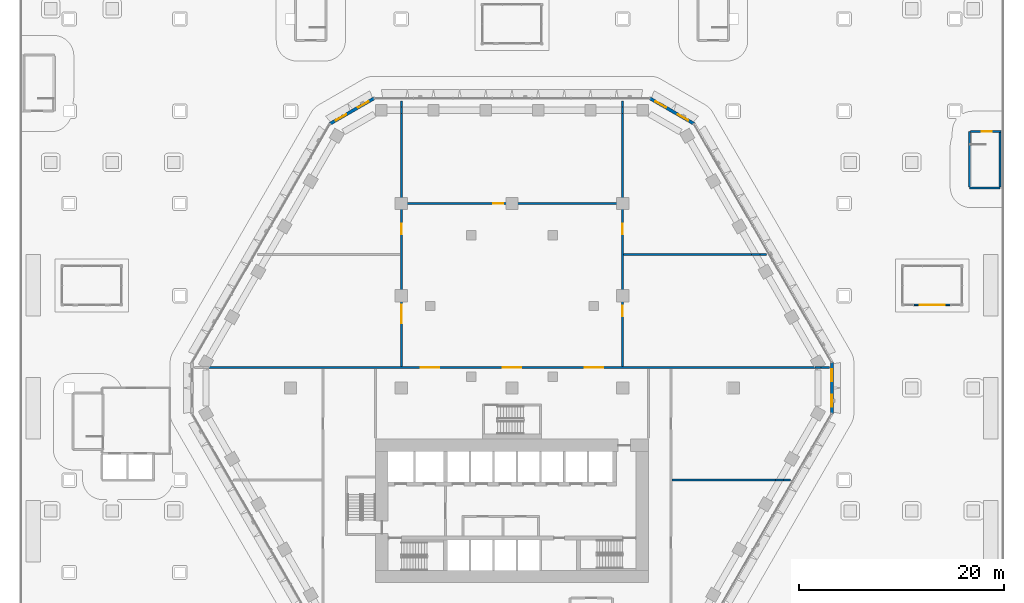
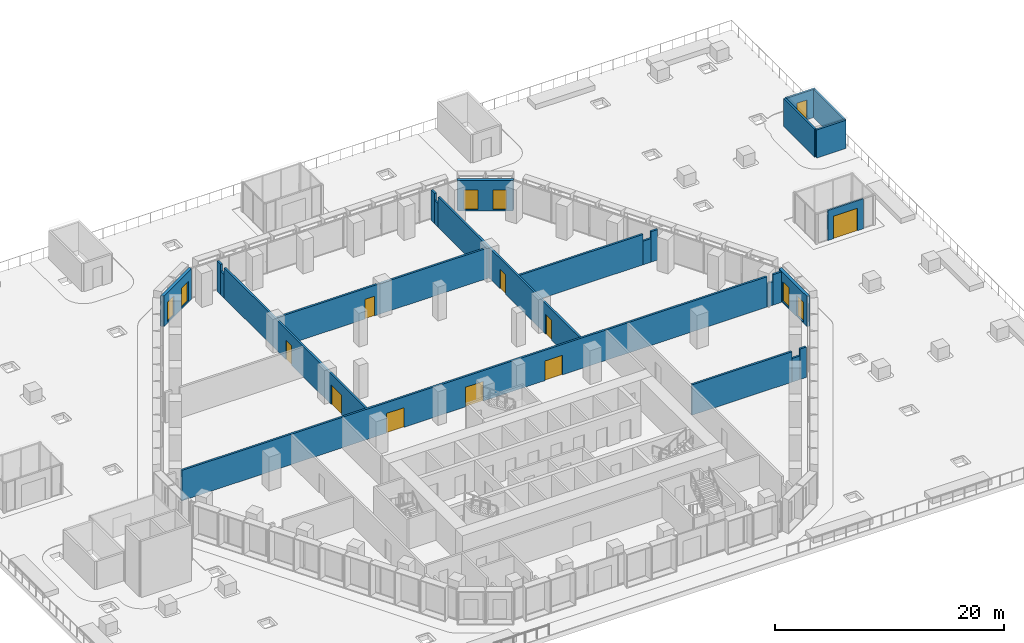
# One storey, part 24 of 38: 24 walls, 10 doors, 6 windows, 16 openings.
"""IFC4 building model written with IfcOpenShell, lengths in metres."""

from ifc_helpers import new_model, si_unit, direction, frame, frame_2d, origin, place, context, subcontext, project, spatial, polyline, rectangle, outline, extrude, material, layer, layer_set, type_object, element, fill, save


model = new_model("IFC4")

# Units and contexts
model_context = context("Model", 3, precision=1e-05, world=origin(), true_north=direction((0.0, 1.0)))
body_context = subcontext(model_context, "Body", "Model", "MODEL_VIEW")
ifc_project = project(units=[si_unit("LENGTHUNIT", "METRE"), si_unit("AREAUNIT", "SQUARE_METRE"), si_unit("VOLUMEUNIT", "CUBIC_METRE"), si_unit("PLANEANGLEUNIT", "RADIAN"), si_unit("MASSUNIT", "GRAM", prefix="KILO")], contexts=[model_context])

# Site, building, storey
site_placement = place(None, origin())
site = spatial("IfcSite", under=ifc_project, at=site_placement, CompositionType="ELEMENT")
building_placement = place(site_placement, origin())
building = spatial("IfcBuilding", under=site, at=building_placement, Name="Beryl Residences", CompositionType="ELEMENT")
storey_placement = place(building_placement, frame((0.0, 0.0, 9.0)))
storey = spatial("IfcBuildingStorey", under=building, at=storey_placement, Name="L02", CompositionType="ELEMENT", Elevation=9.0)

# Wall, openings, windows
ifc_material_1 = material(Name="Composite metal panel with mineral wool insulation")
ifc_layer_1 = layer(ifc_material_1, 0.300048828125)
ifc_layer_set_1 = layer_set([ifc_layer_1], Name="ES1 pale metal composite panel wall 300 mm")
wall_type_1 = type_object("IfcWallType", Name="ES1 pale metal composite panel wall 300 mm", PredefinedType="SOLIDWALL", material=ifc_layer_set_1)
wall_1_placement = place(storey_placement, frame((-13.43505859375, 28.27001953125, 0.0), z_axis=(0.0, 0.0, 1.0), x_axis=(-0.866010750942, -0.50002537861, 0.0)))
wall_1 = element("IfcWall", 1, at=wall_1_placement, inside=storey, type_object=wall_type_1, Name="ES1 external wall L02 N-NW", PredefinedType="SOLIDWALL", context=body_context, shape_type="SweptSolid", body=[
    extrude(outline(polyline([(0.0, -0.14990234375), (4.999755859375, -0.14990234375), (4.91943359375, 0.14990234375), (0.080322265625, 0.14990234375), (0.0, -0.14990234375)])), origin(), (0.0, 0.0, 1.0), 3.25),
])
opening_1_placement = place(wall_1_placement, frame((0.64990234375, 0.0, 0.14990234375)))
opening_1 = element("IfcOpeningElement", 2, at=opening_1_placement, cuts=wall_1, Name="Opening W2", PredefinedType="OPENING", context=body_context, shape_type="SweptSolid", body=[
    extrude(rectangle(XDim=1.199951171875, YDim=2.10009765625, at=frame_2d((0.60009765625, 1.050048828125))), frame((0.0, 0.159912109375, 0.0), z_axis=(0.0, -1.0, 0.0), x_axis=(1.0, 0.0, 0.0)), (0.0, 0.0, 1.0), 0.320068359375),
])
opening_2_placement = place(wall_1_placement, frame((3.14892578125, 0.0, 0.14990234375)))
opening_2 = element("IfcOpeningElement", 3, at=opening_2_placement, cuts=wall_1, Name="Opening W2", PredefinedType="OPENING", context=body_context, shape_type="SweptSolid", body=[
    extrude(rectangle(XDim=1.199951171875, YDim=2.10009765625, at=frame_2d((0.60009765625, 1.050048828125))), frame((0.0, 0.159912109375, 0.0), z_axis=(0.0, -1.0, 0.0), x_axis=(1.0, 0.0, 0.0)), (0.0, 0.0, 1.0), 0.320068359375),
])
ifc_material_2 = material(Name="Aluminium and clear glass", Category="aluminium")
window_type = type_object("IfcWindowType", Name="W2 chamfer window 1200 x 2100 mm", PartitioningType="SINGLE_PANEL", PredefinedType="WINDOW", material=ifc_material_2)
window_1_placement = place(opening_1_placement, origin())
window_1 = element("IfcWindow", 4, at=window_1_placement, inside=storey, type_object=window_type, Name="W2 window L02 N-NW 1", OverallHeight=2.10009765625, OverallWidth=1.199951171875, PartitioningType="SINGLE_PANEL", PredefinedType="WINDOW", context=body_context, shape_type="SweptSolid", body=[
    extrude(rectangle(XDim=1.199951171875, YDim=2.10009765625, at=frame_2d((0.60009765625, 1.050048828125))), frame((0.0, 0.030029296875, 0.0), z_axis=(0.0, -1.0, 0.0), x_axis=(1.0, 0.0, 0.0)), (0.0, 0.0, 1.0), 0.06005859375),
])
fill(opening_1, window_1)
window_2_placement = place(opening_2_placement, origin())
window_2 = element("IfcWindow", 5, at=window_2_placement, inside=storey, type_object=window_type, Name="W2 window L02 N-NW 2", OverallHeight=2.10009765625, OverallWidth=1.199951171875, PartitioningType="SINGLE_PANEL", PredefinedType="WINDOW", context=body_context, shape_type="SweptSolid", body=[
    extrude(rectangle(XDim=1.199951171875, YDim=2.10009765625, at=frame_2d((0.60009765625, 1.050048828125))), frame((0.0, 0.030029296875, 0.0), z_axis=(0.0, -1.0, 0.0), x_axis=(1.0, 0.0, 0.0)), (0.0, 0.0, 1.0), 0.06005859375),
])
fill(opening_2, window_2)

wall_2_placement = place(storey_placement, frame((31.199951171875, -2.5, 0.0), z_axis=(0.0, 0.0, 1.0), x_axis=(0.0, 1.0, 0.0)))
wall_2 = element("IfcWall", 6, at=wall_2_placement, inside=storey, type_object=wall_type_1, Name="ES1 external wall L02 SE-NE", PredefinedType="SOLIDWALL", context=body_context, shape_type="SweptSolid", body=[
    extrude(outline(polyline([(0.0, -0.14990234375), (5.0, -0.14990234375), (4.919677734375, 0.14990234375), (0.080322265625, 0.14990234375), (0.0, -0.14990234375)])), origin(), (0.0, 0.0, 1.0), 3.25),
])
opening_3_placement = place(wall_2_placement, frame((0.64990234375, 0.0, 0.14990234375)))
opening_3 = element("IfcOpeningElement", 7, at=opening_3_placement, cuts=wall_2, Name="Opening W2", PredefinedType="OPENING", context=body_context, shape_type="SweptSolid", body=[
    extrude(rectangle(XDim=1.199951171875, YDim=2.10009765625, at=frame_2d((0.60009765625, 1.050048828125))), frame((0.0, 0.159912109375, 0.0), z_axis=(0.0, -1.0, 0.0), x_axis=(1.0, 0.0, 0.0)), (0.0, 0.0, 1.0), 0.320068359375),
])
opening_4_placement = place(wall_2_placement, frame((3.14990234375, 0.0, 0.14990234375)))
opening_4 = element("IfcOpeningElement", 8, at=opening_4_placement, cuts=wall_2, Name="Opening W2", PredefinedType="OPENING", context=body_context, shape_type="SweptSolid", body=[
    extrude(rectangle(XDim=1.199951171875, YDim=2.10009765625, at=frame_2d((0.60009765625, 1.050048828125))), frame((0.0, 0.159912109375, 0.0), z_axis=(0.0, -1.0, 0.0), x_axis=(1.0, 0.0, 0.0)), (0.0, 0.0, 1.0), 0.320068359375),
])
window_3_placement = place(opening_3_placement, origin())
window_3 = element("IfcWindow", 9, at=window_3_placement, inside=storey, type_object=window_type, Name="W2 window L02 SE-NE 1", OverallHeight=2.10009765625, OverallWidth=1.199951171875, PartitioningType="SINGLE_PANEL", PredefinedType="WINDOW", context=body_context, shape_type="SweptSolid", body=[
    extrude(rectangle(XDim=1.199951171875, YDim=2.10009765625, at=frame_2d((0.60009765625, 1.050048828125))), frame((0.0, 0.030029296875, 0.0), z_axis=(0.0, -1.0, 0.0), x_axis=(1.0, 0.0, 0.0)), (0.0, 0.0, 1.0), 0.06005859375),
])
fill(opening_3, window_3)
window_4_placement = place(opening_4_placement, origin())
window_4 = element("IfcWindow", 10, at=window_4_placement, inside=storey, type_object=window_type, Name="W2 window L02 SE-NE 2", OverallHeight=2.10009765625, OverallWidth=1.199951171875, PartitioningType="SINGLE_PANEL", PredefinedType="WINDOW", context=body_context, shape_type="SweptSolid", body=[
    extrude(rectangle(XDim=1.199951171875, YDim=2.10009765625, at=frame_2d((0.60009765625, 1.050048828125))), frame((0.0, 0.030029296875, 0.0), z_axis=(0.0, -1.0, 0.0), x_axis=(1.0, 0.0, 0.0)), (0.0, 0.0, 1.0), 0.06005859375),
])
fill(opening_4, window_4)

wall_3_placement = place(storey_placement, frame((17.764892578125, 25.77001953125, 0.0), z_axis=(0.0, 0.0, 1.0), x_axis=(-0.866010750942, 0.50002537861, 0.0)))
wall_3 = element("IfcWall", 11, at=wall_3_placement, inside=storey, type_object=wall_type_1, Name="ES1 external wall L02 NE-N", PredefinedType="SOLIDWALL", context=body_context, shape_type="SweptSolid", body=[
    extrude(outline(polyline([(0.0, -0.14990234375), (4.999755859375, -0.14990234375), (4.91943359375, 0.14990234375), (0.080322265625, 0.14990234375), (0.0, -0.14990234375)])), origin(), (0.0, 0.0, 1.0), 3.25),
])
opening_5_placement = place(wall_3_placement, frame((0.64990234375, 0.0, 0.14990234375)))
opening_5 = element("IfcOpeningElement", 12, at=opening_5_placement, cuts=wall_3, Name="Opening W2", PredefinedType="OPENING", context=body_context, shape_type="SweptSolid", body=[
    extrude(rectangle(XDim=1.199951171875, YDim=2.10009765625, at=frame_2d((0.60009765625, 1.050048828125))), frame((0.0, 0.159912109375, 0.0), z_axis=(0.0, -1.0, 0.0), x_axis=(1.0, 0.0, 0.0)), (0.0, 0.0, 1.0), 0.320068359375),
])
opening_6_placement = place(wall_3_placement, frame((3.14990234375, 0.0, 0.14990234375)))
opening_6 = element("IfcOpeningElement", 13, at=opening_6_placement, cuts=wall_3, Name="Opening W2", PredefinedType="OPENING", context=body_context, shape_type="SweptSolid", body=[
    extrude(rectangle(XDim=1.199951171875, YDim=2.10009765625, at=frame_2d((0.60009765625, 1.050048828125))), frame((0.0, 0.159912109375, 0.0), z_axis=(0.0, -1.0, 0.0), x_axis=(1.0, 0.0, 0.0)), (0.0, 0.0, 1.0), 0.320068359375),
])
window_5_placement = place(opening_5_placement, origin())
window_5 = element("IfcWindow", 14, at=window_5_placement, inside=storey, type_object=window_type, Name="W2 window L02 NE-N 1", OverallHeight=2.10009765625, OverallWidth=1.199951171875, PartitioningType="SINGLE_PANEL", PredefinedType="WINDOW", context=body_context, shape_type="SweptSolid", body=[
    extrude(rectangle(XDim=1.199951171875, YDim=2.10009765625, at=frame_2d((0.60009765625, 1.050048828125))), frame((0.0, 0.030029296875, 0.0), z_axis=(0.0, -1.0, 0.0), x_axis=(1.0, 0.0, 0.0)), (0.0, 0.0, 1.0), 0.06005859375),
])
fill(opening_5, window_5)
window_6_placement = place(opening_6_placement, origin())
window_6 = element("IfcWindow", 15, at=window_6_placement, inside=storey, type_object=window_type, Name="W2 window L02 NE-N 2", OverallHeight=2.10009765625, OverallWidth=1.199951171875, PartitioningType="SINGLE_PANEL", PredefinedType="WINDOW", context=body_context, shape_type="SweptSolid", body=[
    extrude(rectangle(XDim=1.199951171875, YDim=2.10009765625, at=frame_2d((0.60009765625, 1.050048828125))), frame((0.0, 0.030029296875, 0.0), z_axis=(0.0, -1.0, 0.0), x_axis=(1.0, 0.0, 0.0)), (0.0, 0.0, 1.0), 0.06005859375),
])
fill(opening_6, window_6)

# Wall, opening, door
ifc_material_3 = material(Name="Aluminium framed insulated wall", Category="aluminium")
ifc_layer_2 = layer(ifc_material_3, 0.14990234375)
ifc_layer_set_2 = layer_set([ifc_layer_2], Name="GW1 glazed door wall 150 mm")
wall_type_2 = type_object("IfcWallType", Name="GW1 glazed door wall 150 mm", PredefinedType="SOLIDWALL", material=ifc_layer_set_2)
wall_4_placement = place(storey_placement, frame((39.199951171875, 8.10009765625, 0.0), z_axis=(0.0, 0.0, 1.0), x_axis=(1.0, 0.0, 0.0)))
wall_4 = element("IfcWall", 16, at=wall_4_placement, inside=storey, type_object=wall_type_2, Name="GW1 door wall L02 S", PredefinedType="SOLIDWALL", context=body_context, shape_type="SweptSolid", body=[
    extrude(rectangle(XDim=3.60009765625, YDim=0.14990234375, at=frame_2d((1.800048828125, 0.0))), origin(), (0.0, 0.0, 1.0), 3.199951171875),
])
opening_7_placement = place(wall_4_placement, frame((0.60009765625, 0.0, 0.0)))
opening_7 = element("IfcOpeningElement", 17, at=opening_7_placement, cuts=wall_4, Name="Opening SD1", PredefinedType="OPENING", context=body_context, shape_type="SweptSolid", body=[
    extrude(rectangle(XDim=2.39990234375, YDim=2.39990234375, at=frame_2d((1.199951171875, 1.199951171875))), frame((0.0, 0.0849609375, 0.0), z_axis=(0.0, -1.0, 0.0), x_axis=(1.0, 0.0, 0.0)), (0.0, 0.0, 1.0), 0.169921875),
])
ifc_material_4 = material(Name="Aluminium and clear glass", Category="aluminium")
door_type_1 = type_object("IfcDoorType", Name="SD1 sliding glass door 2400 x 2400 mm", OperationType="SLIDING_TO_LEFT", PredefinedType="DOOR", material=ifc_material_4)
door_1_placement = place(opening_7_placement, origin())
door_1 = element("IfcDoor", 18, at=door_1_placement, inside=storey, type_object=door_type_1, Name="SD1 garden door L02 S", OperationType="SLIDING_TO_LEFT", OverallHeight=2.39990234375, OverallWidth=2.39990234375, PredefinedType="DOOR", context=body_context, shape_type="SweptSolid", body=[
    extrude(rectangle(XDim=2.39990234375, YDim=2.39990234375, at=frame_2d((1.199951171875, 1.199951171875))), frame((0.0, 0.02490234375, 0.0), z_axis=(0.0, -1.0, 0.0), x_axis=(1.0, 0.0, 0.0)), (0.0, 0.0, 1.0), 0.050048828125),
])
fill(opening_7, door_1)

# Walls
ifc_material_5 = material(Name="Double stud gypsum board wall")
ifc_layer_3 = layer(ifc_material_5, 0.199951171875)
ifc_layer_set_3 = layer_set([ifc_layer_3], Name="PT4 corridor wall 200 mm double stud")
wall_type_3 = type_object("IfcWallType", Name="PT4 corridor wall 200 mm double stud", PredefinedType="PARTITIONING", material=ifc_layer_set_3)
wall_5_placement = place(storey_placement, frame((15.60009765625, -9.0, 0.0), z_axis=(0.0, 0.0, 1.0), x_axis=(1.0, 0.0, 0.0)))
element("IfcWall", 19, at=wall_5_placement, inside=storey, type_object=wall_type_3, Name="Wall PT4 L02 005", PredefinedType="PARTITIONING", context=body_context, shape_type="SweptSolid", body=[
    extrude(rectangle(XDim=10.091796875, YDim=0.199951171875, at=frame_2d((5.0458984375, 0.0))), origin(), (0.0, 0.0, 1.0), 3.25),
])
wall_6_placement = place(storey_placement, frame((25.69189453125, -9.0, 0.0), z_axis=(0.0, 0.0, 1.0), x_axis=(1.0, 0.0, 0.0)))
element("IfcWall", 20, at=wall_6_placement, inside=storey, type_object=wall_type_3, Name="Wall PT4 L02 006", PredefinedType="PARTITIONING", context=body_context, shape_type="SweptSolid", body=[
    extrude(rectangle(XDim=0.80908203125, YDim=0.199951171875, at=frame_2d((0.404541015625, 0.0))), origin(), (0.0, 0.0, 1.0), 2.52001953125),
])
wall_7_placement = place(storey_placement, frame((26.5009765625, -9.0, 0.0), z_axis=(0.0, 0.0, 1.0), x_axis=(1.0, 0.0, 0.0)))
element("IfcWall", 21, at=wall_7_placement, inside=storey, type_object=wall_type_3, Name="Wall PT4 L02 007", PredefinedType="PARTITIONING", context=body_context, shape_type="SweptSolid", body=[
    extrude(rectangle(XDim=0.656982421875, YDim=0.199951171875, at=frame_2d((0.32861328125, 0.0))), origin(), (0.0, 0.0, 1.0), 3.25),
])

# Wall, openings, doors
wall_8_placement = place(storey_placement, frame((-29.549072265625, 2.0, 0.0), z_axis=(0.0, 0.0, 1.0), x_axis=(1.0, 0.0, 0.0)))
wall_8 = element("IfcWall", 22, at=wall_8_placement, inside=storey, type_object=wall_type_3, Name="Wall PT4 L02 010", PredefinedType="PARTITIONING", context=body_context, shape_type="SweptSolid", body=[
    extrude(rectangle(XDim=59.09716796875, YDim=0.199951171875, at=frame_2d((29.548583984375, 0.0))), origin(), (0.0, 0.0, 1.0), 3.25),
])
opening_8_placement = place(wall_8_placement, frame((20.65087890625, 0.0, 0.0)))
opening_8 = element("IfcOpeningElement", 23, at=opening_8_placement, cuts=wall_8, Name="Opening L02-14", PredefinedType="OPENING", context=body_context, shape_type="SweptSolid", body=[
    extrude(rectangle(XDim=1.800048828125, YDim=2.10009765625, at=frame_2d((0.89990234375, 1.050048828125))), frame((0.0, 0.10986328125, 0.0), z_axis=(0.0, -1.0, 0.0), x_axis=(1.0, 0.0, 0.0)), (0.0, 0.0, 1.0), 0.219970703125),
])
opening_9_placement = place(wall_8_placement, frame((36.64697265625, 0.0, 0.0)))
opening_9 = element("IfcOpeningElement", 24, at=opening_9_placement, cuts=wall_8, Name="Opening L02-15", PredefinedType="OPENING", context=body_context, shape_type="SweptSolid", body=[
    extrude(rectangle(XDim=1.800048828125, YDim=2.10009765625, at=frame_2d((0.89990234375, 1.050048828125))), frame((0.0, 0.10986328125, 0.0), z_axis=(0.0, -1.0, 0.0), x_axis=(1.0, 0.0, 0.0)), (0.0, 0.0, 1.0), 0.219970703125),
])
opening_10_placement = place(wall_8_placement, frame((28.64892578125, 0.0, 0.0)))
opening_10 = element("IfcOpeningElement", 25, at=opening_10_placement, cuts=wall_8, Name="Opening L02-17", PredefinedType="OPENING", context=body_context, shape_type="SweptSolid", body=[
    extrude(rectangle(XDim=1.800048828125, YDim=2.10009765625, at=frame_2d((0.89990234375, 1.050048828125))), frame((0.0, 0.10986328125, 0.0), z_axis=(0.0, -1.0, 0.0), x_axis=(1.0, 0.0, 0.0)), (0.0, 0.0, 1.0), 0.219970703125),
])
ifc_material_6 = material(Name="Timber door leaf", Category="wood")
door_type_2 = type_object("IfcDoorType", Name="D20 corridor door 1800 x 2100 mm", OperationType="DOUBLE_DOOR_SINGLE_SWING", PredefinedType="DOOR", material=ifc_material_6)
door_2_placement = place(opening_8_placement, origin())
door_2 = element("IfcDoor", 26, at=door_2_placement, inside=storey, type_object=door_type_2, Name="Door L02-14 L02 001", OperationType="DOUBLE_DOOR_SINGLE_SWING", OverallHeight=2.10009765625, OverallWidth=1.800048828125, PredefinedType="DOOR", context=body_context, shape_type="SweptSolid", body=[
    extrude(rectangle(XDim=1.800048828125, YDim=2.10009765625, at=frame_2d((0.89990234375, 1.050048828125))), frame((0.0, 0.02490234375, 0.0), z_axis=(0.0, -1.0, 0.0), x_axis=(1.0, 0.0, 0.0)), (0.0, 0.0, 1.0), 0.050048828125),
])
fill(opening_8, door_2)
door_3_placement = place(opening_9_placement, origin())
door_3 = element("IfcDoor", 27, at=door_3_placement, inside=storey, type_object=door_type_2, Name="Door L02-15 L02 001", OperationType="DOUBLE_DOOR_SINGLE_SWING", OverallHeight=2.10009765625, OverallWidth=1.800048828125, PredefinedType="DOOR", context=body_context, shape_type="SweptSolid", body=[
    extrude(rectangle(XDim=1.800048828125, YDim=2.10009765625, at=frame_2d((0.89990234375, 1.050048828125))), frame((0.0, 0.02490234375, 0.0), z_axis=(0.0, -1.0, 0.0), x_axis=(1.0, 0.0, 0.0)), (0.0, 0.0, 1.0), 0.050048828125),
])
fill(opening_9, door_3)
door_4_placement = place(opening_10_placement, origin())
door_4 = element("IfcDoor", 28, at=door_4_placement, inside=storey, type_object=door_type_2, Name="Door L02-17 L02 001", OperationType="DOUBLE_DOOR_SINGLE_SWING", OverallHeight=2.10009765625, OverallWidth=1.800048828125, PredefinedType="DOOR", context=body_context, shape_type="SweptSolid", body=[
    extrude(rectangle(XDim=1.800048828125, YDim=2.10009765625, at=frame_2d((0.89990234375, 1.050048828125))), frame((0.0, 0.02490234375, 0.0), z_axis=(0.0, -1.0, 0.0), x_axis=(1.0, 0.0, 0.0)), (0.0, 0.0, 1.0), 0.050048828125),
])
fill(opening_10, door_4)

# Walls
wall_9_placement = place(storey_placement, frame((29.548095703125, 2.0, 0.0), z_axis=(0.0, 0.0, 1.0), x_axis=(1.0, 0.0, 0.0)))
element("IfcWall", 29, at=wall_9_placement, inside=storey, type_object=wall_type_3, Name="Wall PT4 L02 011", PredefinedType="PARTITIONING", context=body_context, shape_type="SweptSolid", body=[
    extrude(rectangle(XDim=0.599853515625, YDim=0.199951171875, at=frame_2d((0.2998046875, 0.0))), origin(), (0.0, 0.0, 1.0), 2.52001953125),
])
wall_10_placement = place(storey_placement, frame((30.14794921875, 2.0, 0.0), z_axis=(0.0, 0.0, 1.0), x_axis=(1.0, 0.0, 0.0)))
element("IfcWall", 30, at=wall_10_placement, inside=storey, type_object=wall_type_3, Name="Wall PT4 L02 012", PredefinedType="PARTITIONING", context=body_context, shape_type="SweptSolid", body=[
    extrude(rectangle(XDim=0.822021484375, YDim=0.199951171875, at=frame_2d((0.4111328125, 0.0))), origin(), (0.0, 0.0, 1.0), 3.25),
])
wall_11_placement = place(storey_placement, frame((10.89990234375, 13.0, 0.0), z_axis=(0.0, 0.0, 1.0), x_axis=(1.0, 0.0, 0.0)))
element("IfcWall", 31, at=wall_11_placement, inside=storey, type_object=wall_type_3, Name="Wall PT4 L02 016", PredefinedType="PARTITIONING", context=body_context, shape_type="SweptSolid", body=[
    extrude(rectangle(XDim=12.483154296875, YDim=0.199951171875, at=frame_2d((6.24169921875, 0.0))), origin(), (0.0, 0.0, 1.0), 3.25),
])
wall_12_placement = place(storey_placement, frame((23.383056640625, 13.0, 0.0), z_axis=(0.0, 0.0, 1.0), x_axis=(1.0, 0.0, 0.0)))
element("IfcWall", 32, at=wall_12_placement, inside=storey, type_object=wall_type_3, Name="Wall PT4 L02 017", PredefinedType="PARTITIONING", context=body_context, shape_type="SweptSolid", body=[
    extrude(rectangle(XDim=0.807861328125, YDim=0.199951171875, at=frame_2d((0.40380859375, 0.0))), origin(), (0.0, 0.0, 1.0), 2.52001953125),
])
wall_13_placement = place(storey_placement, frame((24.19091796875, 13.0, 0.0), z_axis=(0.0, 0.0, 1.0), x_axis=(1.0, 0.0, 0.0)))
element("IfcWall", 33, at=wall_13_placement, inside=storey, type_object=wall_type_3, Name="Wall PT4 L02 018", PredefinedType="PARTITIONING", context=body_context, shape_type="SweptSolid", body=[
    extrude(rectangle(XDim=0.658203125, YDim=0.199951171875, at=frame_2d((0.3291015625, 0.0))), origin(), (0.0, 0.0, 1.0), 3.25),
])

# Wall, opening, door
wall_14_placement = place(storey_placement, frame((-10.699951171875, 18.0, 0.0), z_axis=(0.0, 0.0, 1.0), x_axis=(1.0, 0.0, 0.0)))
wall_14 = element("IfcWall", 34, at=wall_14_placement, inside=storey, type_object=wall_type_3, Name="Wall PT4 L02 019", PredefinedType="PARTITIONING", context=body_context, shape_type="SweptSolid", body=[
    extrude(rectangle(XDim=21.39990234375, YDim=0.199951171875, at=frame_2d((10.699951171875, 0.0))), origin(), (0.0, 0.0, 1.0), 3.25),
])
opening_11_placement = place(wall_14_placement, frame((8.860107421875, 0.0, 0.0)))
opening_11 = element("IfcOpeningElement", 35, at=opening_11_placement, cuts=wall_14, Name="Opening L02-13", PredefinedType="OPENING", context=body_context, shape_type="SweptSolid", body=[
    extrude(rectangle(XDim=1.0, YDim=2.10009765625, at=frame_2d((0.5, 1.050048828125))), frame((0.0, 0.10986328125, 0.0), z_axis=(0.0, -1.0, 0.0), x_axis=(1.0, 0.0, 0.0)), (0.0, 0.0, 1.0), 0.219970703125),
])
ifc_material_7 = material(Name="Timber door leaf", Category="wood")
door_type_3 = type_object("IfcDoorType", Name="D9 corridor door 1000 x 2100 mm", OperationType="SINGLE_SWING_LEFT", PredefinedType="DOOR", material=ifc_material_7)
door_5_placement = place(opening_11_placement, origin())
door_5 = element("IfcDoor", 36, at=door_5_placement, inside=storey, type_object=door_type_3, Name="Door L02-13 L02 001", OperationType="SINGLE_SWING_LEFT", OverallHeight=2.10009765625, OverallWidth=1.0, PredefinedType="DOOR", context=body_context, shape_type="SweptSolid", body=[
    extrude(rectangle(XDim=1.0, YDim=2.10009765625, at=frame_2d((0.5, 1.050048828125))), frame((0.0, 0.02490234375, 0.0), z_axis=(0.0, -1.0, 0.0), x_axis=(1.0, 0.0, 0.0)), (0.0, 0.0, 1.0), 0.050048828125),
])
fill(opening_11, door_5)

# Wall, openings, doors
wall_15_placement = place(storey_placement, frame((-10.800048828125, 2.10009765625, 0.0), z_axis=(0.0, 0.0, 1.0), x_axis=(0.0, 1.0, 0.0)))
wall_15 = element("IfcWall", 37, at=wall_15_placement, inside=storey, type_object=wall_type_3, Name="Wall PT4 L02 024", PredefinedType="PARTITIONING", context=body_context, shape_type="SweptSolid", body=[
    extrude(rectangle(XDim=24.699951171875, YDim=0.199951171875, at=frame_2d((12.35009765625, 0.0))), origin(), (0.0, 0.0, 1.0), 3.25),
])
opening_12_placement = place(wall_15_placement, frame((4.2119140625, 0.0, 0.0)))
opening_12 = element("IfcOpeningElement", 38, at=opening_12_placement, cuts=wall_15, Name="Opening L02-09", PredefinedType="OPENING", context=body_context, shape_type="SweptSolid", body=[
    extrude(rectangle(XDim=1.800048828125, YDim=2.10009765625, at=frame_2d((0.89990234375, 1.050048828125))), frame((0.0, 0.10986328125, 0.0), z_axis=(0.0, -1.0, 0.0), x_axis=(1.0, 0.0, 0.0)), (0.0, 0.0, 1.0), 0.219970703125),
])
opening_13_placement = place(wall_15_placement, frame((12.89794921875, 0.0, 0.0)))
opening_13 = element("IfcOpeningElement", 39, at=opening_13_placement, cuts=wall_15, Name="Opening L02-10", PredefinedType="OPENING", context=body_context, shape_type="SweptSolid", body=[
    extrude(rectangle(XDim=1.0, YDim=2.10009765625, at=frame_2d((0.5, 1.050048828125))), frame((0.0, 0.10986328125, 0.0), z_axis=(0.0, -1.0, 0.0), x_axis=(1.0, 0.0, 0.0)), (0.0, 0.0, 1.0), 0.219970703125),
])
door_6_placement = place(opening_12_placement, origin())
door_6 = element("IfcDoor", 40, at=door_6_placement, inside=storey, type_object=door_type_2, Name="Door L02-09 L02 001", OperationType="DOUBLE_DOOR_SINGLE_SWING", OverallHeight=2.10009765625, OverallWidth=1.800048828125, PredefinedType="DOOR", context=body_context, shape_type="SweptSolid", body=[
    extrude(rectangle(XDim=1.800048828125, YDim=2.10009765625, at=frame_2d((0.89990234375, 1.050048828125))), frame((0.0, 0.02490234375, 0.0), z_axis=(0.0, -1.0, 0.0), x_axis=(1.0, 0.0, 0.0)), (0.0, 0.0, 1.0), 0.050048828125),
])
fill(opening_12, door_6)
door_7_placement = place(opening_13_placement, origin())
door_7 = element("IfcDoor", 41, at=door_7_placement, inside=storey, type_object=door_type_3, Name="Door L02-10 L02 001", OperationType="SINGLE_SWING_RIGHT", OverallHeight=2.10009765625, OverallWidth=1.0, PredefinedType="DOOR", context=body_context, shape_type="SweptSolid", body=[
    extrude(rectangle(XDim=1.0, YDim=2.10009765625, at=frame_2d((0.5, 1.050048828125))), frame((0.0, 0.02490234375, 0.0), z_axis=(0.0, -1.0, 0.0), x_axis=(1.0, 0.0, 0.0)), (0.0, 0.0, 1.0), 0.050048828125),
])
fill(opening_13, door_7)

# Walls
wall_16_placement = place(storey_placement, frame((-10.800048828125, 26.800048828125, 0.0), z_axis=(0.0, 0.0, 1.0), x_axis=(0.0, 1.0, 0.0)))
element("IfcWall", 42, at=wall_16_placement, inside=storey, type_object=wall_type_3, Name="Wall PT4 L02 025", PredefinedType="PARTITIONING", context=body_context, shape_type="SweptSolid", body=[
    extrude(rectangle(XDim=0.599853515625, YDim=0.199951171875, at=frame_2d((0.2998046875, 0.0))), origin(), (0.0, 0.0, 1.0), 2.52001953125),
])
wall_17_placement = place(storey_placement, frame((-10.800048828125, 27.39990234375, 0.0), z_axis=(0.0, 0.0, 1.0), x_axis=(0.0, 1.0, 0.0)))
element("IfcWall", 43, at=wall_17_placement, inside=storey, type_object=wall_type_3, Name="Wall PT4 L02 026", PredefinedType="PARTITIONING", context=body_context, shape_type="SweptSolid", body=[
    extrude(rectangle(XDim=0.6201171875, YDim=0.199951171875, at=frame_2d((0.31005859375, 0.0))), origin(), (0.0, 0.0, 1.0), 3.25),
])

# Wall, openings, doors
wall_18_placement = place(storey_placement, frame((10.800048828125, 2.10009765625, 0.0), z_axis=(0.0, 0.0, 1.0), x_axis=(0.0, 1.0, 0.0)))
wall_18 = element("IfcWall", 44, at=wall_18_placement, inside=storey, type_object=wall_type_3, Name="Wall PT4 L02 027", PredefinedType="PARTITIONING", context=body_context, shape_type="SweptSolid", body=[
    extrude(rectangle(XDim=24.699951171875, YDim=0.199951171875, at=frame_2d((12.35009765625, 0.0))), origin(), (0.0, 0.0, 1.0), 3.25),
])
opening_14_placement = place(wall_18_placement, frame((5.902099609375, 0.0, 0.0), z_axis=(0.0, 0.0, 1.0), x_axis=(-1.0, 0.0, 0.0)))
opening_14 = element("IfcOpeningElement", 45, at=opening_14_placement, cuts=wall_18, Name="Opening L02-11", PredefinedType="OPENING", context=body_context, shape_type="SweptSolid", body=[
    extrude(rectangle(XDim=1.0, YDim=2.10009765625, at=frame_2d((0.5, 1.050048828125))), frame((0.0, 0.10986328125, 0.0), z_axis=(0.0, -1.0, 0.0), x_axis=(1.0, 0.0, 0.0)), (0.0, 0.0, 1.0), 0.219970703125),
])
opening_15_placement = place(wall_18_placement, frame((13.89794921875, 0.0, 0.0), z_axis=(0.0, 0.0, 1.0), x_axis=(-1.0, 0.0, 0.0)))
opening_15 = element("IfcOpeningElement", 46, at=opening_15_placement, cuts=wall_18, Name="Opening L02-12", PredefinedType="OPENING", context=body_context, shape_type="SweptSolid", body=[
    extrude(rectangle(XDim=1.0, YDim=2.10009765625, at=frame_2d((0.5, 1.050048828125))), frame((0.0, 0.10986328125, 0.0), z_axis=(0.0, -1.0, 0.0), x_axis=(1.0, 0.0, 0.0)), (0.0, 0.0, 1.0), 0.219970703125),
])
door_8_placement = place(opening_14_placement, origin())
door_8 = element("IfcDoor", 47, at=door_8_placement, inside=storey, type_object=door_type_3, Name="Door L02-11 L02 001", OperationType="SINGLE_SWING_RIGHT", OverallHeight=2.10009765625, OverallWidth=1.0, PredefinedType="DOOR", context=body_context, shape_type="SweptSolid", body=[
    extrude(rectangle(XDim=1.0, YDim=2.10009765625, at=frame_2d((0.5, 1.050048828125))), frame((0.0, 0.02490234375, 0.0), z_axis=(0.0, -1.0, 0.0), x_axis=(1.0, 0.0, 0.0)), (0.0, 0.0, 1.0), 0.050048828125),
])
fill(opening_14, door_8)
door_9_placement = place(opening_15_placement, origin())
door_9 = element("IfcDoor", 48, at=door_9_placement, inside=storey, type_object=door_type_3, Name="Door L02-12 L02 001", OperationType="SINGLE_SWING_LEFT", OverallHeight=2.10009765625, OverallWidth=1.0, PredefinedType="DOOR", context=body_context, shape_type="SweptSolid", body=[
    extrude(rectangle(XDim=1.0, YDim=2.10009765625, at=frame_2d((0.5, 1.050048828125))), frame((0.0, 0.02490234375, 0.0), z_axis=(0.0, -1.0, 0.0), x_axis=(1.0, 0.0, 0.0)), (0.0, 0.0, 1.0), 0.050048828125),
])
fill(opening_15, door_9)

# Walls
wall_19_placement = place(storey_placement, frame((10.800048828125, 26.800048828125, 0.0), z_axis=(0.0, 0.0, 1.0), x_axis=(0.0, 1.0, 0.0)))
element("IfcWall", 49, at=wall_19_placement, inside=storey, type_object=wall_type_3, Name="Wall PT4 L02 028", PredefinedType="PARTITIONING", context=body_context, shape_type="SweptSolid", body=[
    extrude(rectangle(XDim=0.599853515625, YDim=0.199951171875, at=frame_2d((0.2998046875, 0.0))), origin(), (0.0, 0.0, 1.0), 2.52001953125),
])
wall_20_placement = place(storey_placement, frame((10.800048828125, 27.39990234375, 0.0), z_axis=(0.0, 0.0, 1.0), x_axis=(0.0, 1.0, 0.0)))
element("IfcWall", 50, at=wall_20_placement, inside=storey, type_object=wall_type_3, Name="Wall PT4 L02 029", PredefinedType="PARTITIONING", context=body_context, shape_type="SweptSolid", body=[
    extrude(rectangle(XDim=0.6201171875, YDim=0.199951171875, at=frame_2d((0.31005859375, 0.0))), origin(), (0.0, 0.0, 1.0), 3.25),
])
ifc_material_8 = material(Name="Concrete C40/50", Category="concrete")
ifc_layer_4 = layer(ifc_material_8, 0.199951171875)
ifc_layer_set_4 = layer_set([ifc_layer_4], Name="PT5 stair enclosure wall 200 mm reinforced concrete C40/50")
wall_type_4 = type_object("IfcWallType", Name="PT5 stair enclosure wall 200 mm reinforced concrete C40/50", PredefinedType="SOLIDWALL", material=ifc_layer_set_4)
wall_21_placement = place(storey_placement, frame((44.64990234375, 19.5, 0.0), z_axis=(0.0, 0.0, 1.0), x_axis=(1.0, 0.0, 0.0)))
element("IfcWall", 51, at=wall_21_placement, inside=storey, type_object=wall_type_4, Name="Wall PT5 L02 010", PredefinedType="SOLIDWALL", context=body_context, shape_type="SweptSolid", body=[
    extrude(rectangle(XDim=2.9501953125, YDim=0.199951171875, at=frame_2d((1.47509765625, 0.0))), origin(), (0.0, 0.0, 1.0), 3.0),
])

# Wall, opening, door
wall_22_placement = place(storey_placement, frame((44.75, 25.0, 0.0), z_axis=(0.0, 0.0, 1.0), x_axis=(1.0, 0.0, 0.0)))
wall_22 = element("IfcWall", 52, at=wall_22_placement, inside=storey, type_object=wall_type_4, Name="Wall PT5 L02 011", PredefinedType="SOLIDWALL", context=body_context, shape_type="SweptSolid", body=[
    extrude(rectangle(XDim=2.949951171875, YDim=0.199951171875, at=frame_2d((1.47509765625, 0.0))), origin(), (0.0, 0.0, 1.0), 3.0),
])
opening_16_placement = place(wall_22_placement, frame((1.074951171875, 0.0, 0.0)))
opening_16 = element("IfcOpeningElement", 53, at=opening_16_placement, cuts=wall_22, Name="Opening L02-25", PredefinedType="OPENING", context=body_context, shape_type="SweptSolid", body=[
    extrude(rectangle(XDim=1.0, YDim=2.10009765625, at=frame_2d((0.5, 1.050048828125))), frame((0.0, 0.10986328125, 0.0), z_axis=(0.0, -1.0, 0.0), x_axis=(1.0, 0.0, 0.0)), (0.0, 0.0, 1.0), 0.219970703125),
])
ifc_material_9 = material(Name="Steel door leaf in steel frame", Category="steel")
door_type_4 = type_object("IfcDoorType", Name="D15 stair door 1000 x 2100 mm", OperationType="SINGLE_SWING_LEFT", PredefinedType="DOOR", material=ifc_material_9)
door_10_placement = place(opening_16_placement, origin())
door_10 = element("IfcDoor", 54, at=door_10_placement, inside=storey, type_object=door_type_4, Name="Door L02-25 L02 001", OperationType="SINGLE_SWING_LEFT", OverallHeight=2.10009765625, OverallWidth=1.0, PredefinedType="DOOR", context=body_context, shape_type="SweptSolid", body=[
    extrude(rectangle(XDim=1.0, YDim=2.10009765625, at=frame_2d((0.5, 1.050048828125))), frame((0.0, 0.02490234375, 0.0), z_axis=(0.0, -1.0, 0.0), x_axis=(1.0, 0.0, 0.0)), (0.0, 0.0, 1.0), 0.050048828125),
])
fill(opening_16, door_10)

# Walls
wall_23_placement = place(storey_placement, frame((44.64990234375, 19.60009765625, 0.0), z_axis=(0.0, 0.0, 1.0), x_axis=(0.0, 1.0, 0.0)))
element("IfcWall", 55, at=wall_23_placement, inside=storey, type_object=wall_type_4, Name="Wall PT5 L02 030", PredefinedType="SOLIDWALL", context=body_context, shape_type="SweptSolid", body=[
    extrude(rectangle(XDim=5.39990234375, YDim=0.199951171875, at=frame_2d((2.699951171875, 0.0))), origin(), (0.0, 0.0, 1.0), 3.0),
])
wall_24_placement = place(storey_placement, frame((47.60009765625, 19.60009765625, 0.0), z_axis=(0.0, 0.0, 1.0), x_axis=(0.0, 1.0, 0.0)))
element("IfcWall", 56, at=wall_24_placement, inside=storey, type_object=wall_type_4, Name="Wall PT5 L02 031", PredefinedType="SOLIDWALL", context=body_context, shape_type="SweptSolid", body=[
    extrude(rectangle(XDim=5.2998046875, YDim=0.199951171875, at=frame_2d((2.64990234375, 0.0))), origin(), (0.0, 0.0, 1.0), 3.0),
])

save(model, "model.ifc")
